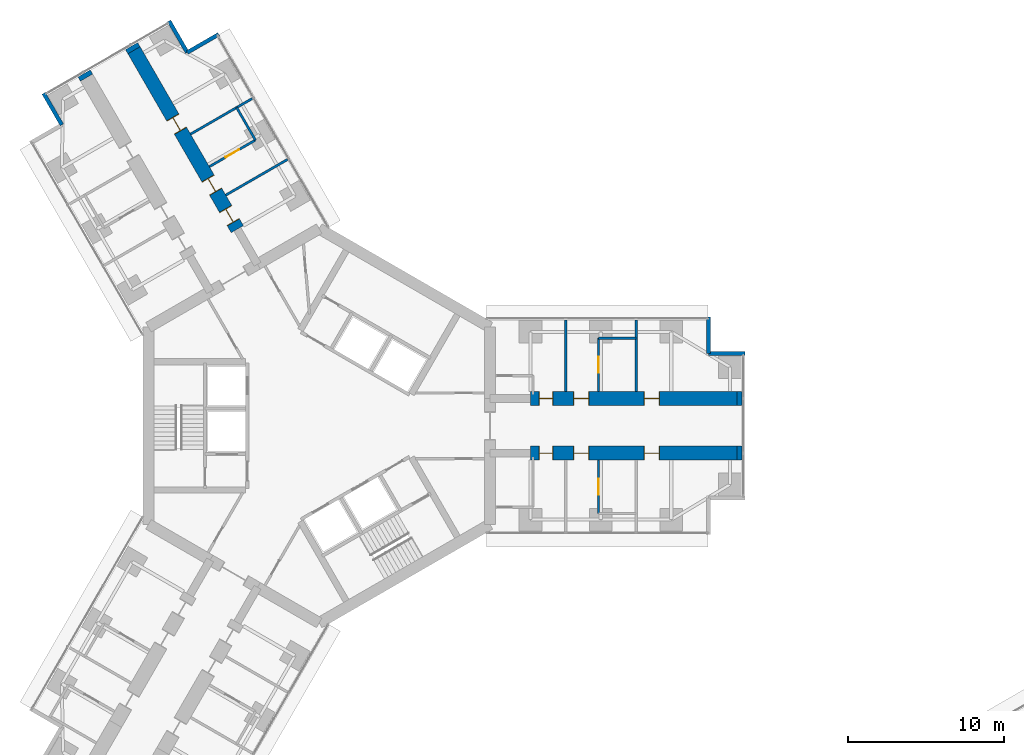
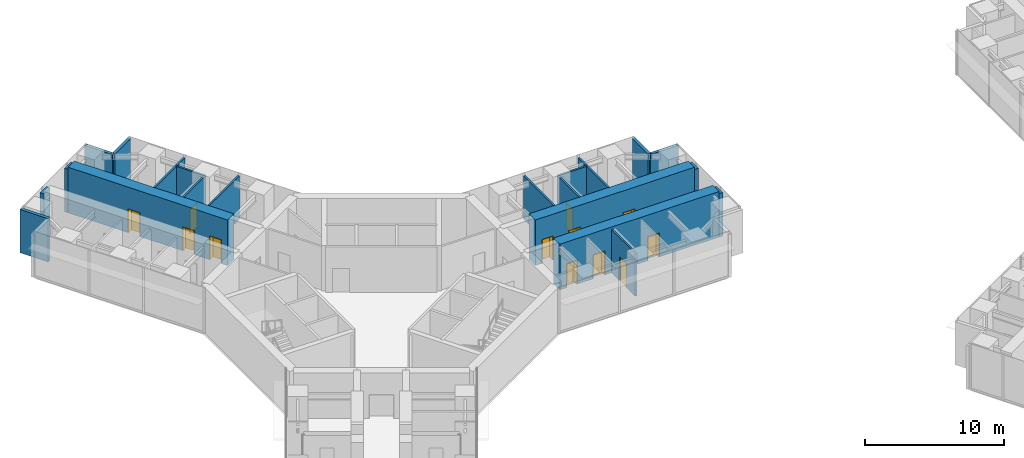
# One storey, part 19 of 24: 21 walls, 12 doors, 12 openings.
"""IFC4 building model written with IfcOpenShell, lengths in metres."""

from ifc_helpers import new_model, si_unit, direction, frame, frame_2d, origin, place, context, subcontext, project, spatial, rectangle, extrude, material, layer, layer_set, type_object, element, fill, save


model = new_model("IFC4")

# Units and contexts
model_context = context("Model", 3, precision=1e-05, world=origin(), true_north=direction((0.0, 1.0)))
body_context = subcontext(model_context, "Body", "Model", "MODEL_VIEW")
ifc_project = project(units=[si_unit("LENGTHUNIT", "METRE"), si_unit("AREAUNIT", "SQUARE_METRE"), si_unit("VOLUMEUNIT", "CUBIC_METRE"), si_unit("PLANEANGLEUNIT", "RADIAN"), si_unit("MASSUNIT", "GRAM", prefix="KILO")], contexts=[model_context])

# Site, building, storey
site_placement = place(None, origin())
site = spatial("IfcSite", under=ifc_project, at=site_placement, CompositionType="ELEMENT")
building_placement = place(site_placement, origin())
building = spatial("IfcBuilding", under=site, at=building_placement, Name="Upepo Twin Towers", CompositionType="ELEMENT")
storey_placement = place(building_placement, frame((0.0, 0.0, 60.5)))
storey = spatial("IfcBuildingStorey", under=building, at=storey_placement, Name="L14", CompositionType="ELEMENT", Elevation=60.5)

# Walls
ifc_material_1 = material(Name="Dense concrete blockwork", Category="masonry")
ifc_layer_1 = layer(ifc_material_1, 0.89990234375)
ifc_layer_set_1 = layer_set([ifc_layer_1], Name="Buttress closer 900, blockwork with fire-stopping to the curtain wall")
wall_type_1 = type_object("IfcWallType", Name="Buttress closer 900, blockwork with fire-stopping to the curtain wall", PredefinedType="PARTITIONING", material=ifc_layer_set_1)
for number, where, z_axis, x_axis, name in (
    (1, (26.699951171875, 1.75, 0.0), (0.0, 0.0, 1.0), (1.0, 0.0, 0.0), "T1 L14 wing A buttress closer L"),
    (2, (26.699951171875, -1.75, 0.0), (0.0, 0.0, 1.0), (1.0, 0.0, 0.0), "T1 L14 wing A buttress closer R"),
    (3, (-14.865478515625, 22.247802734375, 0.0), (0.0, 0.0, 1.0), (-0.499949632511, 0.866054481515, 0.0), "T1 L14 wing B buttress closer L"),
    (4, (-11.83447265625, 23.997802734375, 0.0), (0.0, 0.0, 1.0), (-0.499949632511, 0.866054481515, 0.0), "T1 L14 wing B buttress closer R"),
):
    element("IfcWall", number, at=place(storey_placement, frame(where, z_axis=z_axis, x_axis=x_axis)), inside=storey, type_object=wall_type_1, Name=name, PredefinedType="PARTITIONING", context=body_context, shape_type="SweptSolid", body=[
        extrude(rectangle(XDim=0.31005859375, YDim=0.89990234375, at=frame_2d((0.155029296875, 0.0))), origin(), (0.0, 0.0, 1.0), 3.800048828125),
    ])

# Wall, openings, doors
ifc_material_2 = material(Name="Concrete C60/75", Category="concrete")
ifc_layer_2 = layer(ifc_material_2, 0.89990234375)
ifc_layer_set_2 = layer_set([ifc_layer_2], Name="Concrete C60/75")
wall_type_2 = type_object("IfcWallType", Name="Buttress wall 900 RC", PredefinedType="SHEAR", material=ifc_layer_set_2)
wall_1_placement = place(storey_placement, frame((13.5, 1.75, 0.0), z_axis=(0.0, 0.0, 1.0), x_axis=(1.0, 0.0, 0.0)))
wall_1 = element("IfcWall", 5, at=wall_1_placement, inside=storey, type_object=wall_type_2, Name="T1 wing A buttress wall L part 2", PredefinedType="SHEAR", context=body_context, shape_type="SweptSolid", body=[
    extrude(rectangle(XDim=13.199951171875, YDim=0.89990234375, at=frame_2d((6.60009765625, 0.0))), origin(), (0.0, 0.0, 1.0), 4.0),
])
opening_1_placement = place(wall_1_placement, frame((0.550048828125, 0.0, 0.0)))
opening_1 = element("IfcOpeningElement", 6, at=opening_1_placement, cuts=wall_1, Name="Opening D11", PredefinedType="OPENING", context=body_context, shape_type="SweptSolid", body=[
    extrude(rectangle(XDim=0.89990234375, YDim=2.10009765625, at=frame_2d((0.449951171875, 1.050048828125))), frame((0.0, 0.4599609375, 0.0), z_axis=(0.0, -1.0, 0.0), x_axis=(1.0, 0.0, 0.0)), (0.0, 0.0, 1.0), 0.919921875),
])
opening_2_placement = place(wall_1_placement, frame((2.75, 0.0, 0.0)))
opening_2 = element("IfcOpeningElement", 7, at=opening_2_placement, cuts=wall_1, Name="Opening D1", PredefinedType="OPENING", context=body_context, shape_type="SweptSolid", body=[
    extrude(rectangle(XDim=1.0, YDim=2.10009765625, at=frame_2d((0.5, 1.050048828125))), frame((0.0, 0.4599609375, 0.0), z_axis=(0.0, -1.0, 0.0), x_axis=(1.0, 0.0, 0.0)), (0.0, 0.0, 1.0), 0.919921875),
])
opening_3_placement = place(wall_1_placement, frame((7.25, 0.0, 0.0)))
opening_3 = element("IfcOpeningElement", 8, at=opening_3_placement, cuts=wall_1, Name="Opening D1", PredefinedType="OPENING", context=body_context, shape_type="SweptSolid", body=[
    extrude(rectangle(XDim=1.0, YDim=2.10009765625, at=frame_2d((0.5, 1.050048828125))), frame((0.0, 0.4599609375, 0.0), z_axis=(0.0, -1.0, 0.0), x_axis=(1.0, 0.0, 0.0)), (0.0, 0.0, 1.0), 0.919921875),
])
ifc_material_3 = material(Name="Timber doorset", Category="wood")
door_type_1 = type_object("IfcDoorType", Name="Room door 1000 FD30", OperationType="SINGLE_SWING_LEFT", PredefinedType="DOOR", material=ifc_material_3)
door_1_placement = place(opening_2_placement, origin())
door_1 = element("IfcDoor", 9, at=door_1_placement, inside=storey, type_object=door_type_1, Name="T1 L14 seminar room door", OperationType="SINGLE_SWING_LEFT", OverallHeight=2.10009765625, OverallWidth=1.0, PredefinedType="DOOR", context=body_context, shape_type="SweptSolid", body=[
    extrude(rectangle(XDim=0.92, YDim=2.06009765625, at=frame_2d((0.5, 1.030029296875))), frame((0.0, 0.02490234375, 0.0), z_axis=(0.0, -1.0, 0.0), x_axis=(1.0, 0.0, 0.0)), (0.0, 0.0, 1.0), 0.050048828125),
    extrude(rectangle(XDim=0.04, YDim=2.10009765625, at=frame_2d((0.02001953125, 1.050048828125))), frame((0.0, 0.44970703125, 0.0), z_axis=(0.0, -1.0, 0.0), x_axis=(1.0, 0.0, 0.0)), (0.0, 0.0, 1.0), 0.8994140625),
    extrude(rectangle(XDim=0.04, YDim=2.10009765625, at=frame_2d((0.97998046875, 1.050048828125))), frame((0.0, 0.44970703125, 0.0), z_axis=(0.0, -1.0, 0.0), x_axis=(1.0, 0.0, 0.0)), (0.0, 0.0, 1.0), 0.8994140625),
    extrude(rectangle(XDim=0.92, YDim=0.04, at=frame_2d((0.5, 2.080078125))), frame((0.0, 0.44970703125, 0.0), z_axis=(0.0, -1.0, 0.0), x_axis=(1.0, 0.0, 0.0)), (0.0, 0.0, 1.0), 0.8994140625),
])
fill(opening_2, door_1)
door_2_placement = place(opening_3_placement, origin())
door_2 = element("IfcDoor", 10, at=door_2_placement, inside=storey, type_object=door_type_1, Name="T1 L14 staff office door", OperationType="SINGLE_SWING_RIGHT", OverallHeight=2.10009765625, OverallWidth=1.0, PredefinedType="DOOR", context=body_context, shape_type="SweptSolid", body=[
    extrude(rectangle(XDim=0.92, YDim=2.06009765625, at=frame_2d((0.5, 1.030029296875))), frame((0.0, 0.02490234375, 0.0), z_axis=(0.0, -1.0, 0.0), x_axis=(1.0, 0.0, 0.0)), (0.0, 0.0, 1.0), 0.050048828125),
    extrude(rectangle(XDim=0.04, YDim=2.10009765625, at=frame_2d((0.02001953125, 1.050048828125))), frame((0.0, 0.44970703125, 0.0), z_axis=(0.0, -1.0, 0.0), x_axis=(1.0, 0.0, 0.0)), (0.0, 0.0, 1.0), 0.8994140625),
    extrude(rectangle(XDim=0.04, YDim=2.10009765625, at=frame_2d((0.97998046875, 1.050048828125))), frame((0.0, 0.44970703125, 0.0), z_axis=(0.0, -1.0, 0.0), x_axis=(1.0, 0.0, 0.0)), (0.0, 0.0, 1.0), 0.8994140625),
    extrude(rectangle(XDim=0.92, YDim=0.04, at=frame_2d((0.5, 2.080078125))), frame((0.0, 0.44970703125, 0.0), z_axis=(0.0, -1.0, 0.0), x_axis=(1.0, 0.0, 0.0)), (0.0, 0.0, 1.0), 0.8994140625),
])
fill(opening_3, door_2)
ifc_material_4 = material(Name="Timber doorset", Category="wood")
door_type_2 = type_object("IfcDoorType", Name="Toilet door 900", OperationType="SINGLE_SWING_LEFT", PredefinedType="DOOR", material=ifc_material_4)
door_3_placement = place(opening_1_placement, origin())
door_3 = element("IfcDoor", 11, at=door_3_placement, inside=storey, type_object=door_type_2, Name="T1 L14 toilets door", OperationType="SINGLE_SWING_LEFT", OverallHeight=2.10009765625, OverallWidth=0.89990234375, PredefinedType="DOOR", context=body_context, shape_type="SweptSolid", body=[
    extrude(rectangle(XDim=0.81990234375, YDim=2.06009765625, at=frame_2d((0.449951171875, 1.030029296875))), frame((0.0, 0.02490234375, 0.0), z_axis=(0.0, -1.0, 0.0), x_axis=(1.0, 0.0, 0.0)), (0.0, 0.0, 1.0), 0.050048828125),
    extrude(rectangle(XDim=0.04, YDim=2.10009765625, at=frame_2d((0.02001953125, 1.050048828125))), frame((0.0, 0.44970703125, 0.0), z_axis=(0.0, -1.0, 0.0), x_axis=(1.0, 0.0, 0.0)), (0.0, 0.0, 1.0), 0.8994140625),
    extrude(rectangle(XDim=0.04, YDim=2.10009765625, at=frame_2d((0.8798828125, 1.050048828125))), frame((0.0, 0.44970703125, 0.0), z_axis=(0.0, -1.0, 0.0), x_axis=(1.0, 0.0, 0.0)), (0.0, 0.0, 1.0), 0.8994140625),
    extrude(rectangle(XDim=0.81990234375, YDim=0.04, at=frame_2d((0.449951171875, 2.080078125))), frame((0.0, 0.44970703125, 0.0), z_axis=(0.0, -1.0, 0.0), x_axis=(1.0, 0.0, 0.0)), (0.0, 0.0, 1.0), 0.8994140625),
])
fill(opening_1, door_3)

wall_2_placement = place(storey_placement, frame((13.5, -1.75, 0.0), z_axis=(0.0, 0.0, 1.0), x_axis=(1.0, 0.0, 0.0)))
wall_2 = element("IfcWall", 12, at=wall_2_placement, inside=storey, type_object=wall_type_2, Name="T1 wing A buttress wall R part 2", PredefinedType="SHEAR", context=body_context, shape_type="SweptSolid", body=[
    extrude(rectangle(XDim=13.199951171875, YDim=0.89990234375, at=frame_2d((6.60009765625, 0.0))), origin(), (0.0, 0.0, 1.0), 4.0),
])
opening_4_placement = place(wall_2_placement, frame((0.550048828125, 0.0, 0.0)))
opening_4 = element("IfcOpeningElement", 13, at=opening_4_placement, cuts=wall_2, Name="Opening D11", PredefinedType="OPENING", context=body_context, shape_type="SweptSolid", body=[
    extrude(rectangle(XDim=0.89990234375, YDim=2.10009765625, at=frame_2d((0.449951171875, 1.050048828125))), frame((0.0, 0.4599609375, 0.0), z_axis=(0.0, -1.0, 0.0), x_axis=(1.0, 0.0, 0.0)), (0.0, 0.0, 1.0), 0.919921875),
])
opening_5_placement = place(wall_2_placement, frame((2.75, 0.0, 0.0)))
opening_5 = element("IfcOpeningElement", 14, at=opening_5_placement, cuts=wall_2, Name="Opening D1", PredefinedType="OPENING", context=body_context, shape_type="SweptSolid", body=[
    extrude(rectangle(XDim=1.0, YDim=2.10009765625, at=frame_2d((0.5, 1.050048828125))), frame((0.0, 0.4599609375, 0.0), z_axis=(0.0, -1.0, 0.0), x_axis=(1.0, 0.0, 0.0)), (0.0, 0.0, 1.0), 0.919921875),
])
opening_6_placement = place(wall_2_placement, frame((7.25, 0.0, 0.0)))
opening_6 = element("IfcOpeningElement", 15, at=opening_6_placement, cuts=wall_2, Name="Opening D1", PredefinedType="OPENING", context=body_context, shape_type="SweptSolid", body=[
    extrude(rectangle(XDim=1.0, YDim=2.10009765625, at=frame_2d((0.5, 1.050048828125))), frame((0.0, 0.4599609375, 0.0), z_axis=(0.0, -1.0, 0.0), x_axis=(1.0, 0.0, 0.0)), (0.0, 0.0, 1.0), 0.919921875),
])
door_4_placement = place(opening_5_placement, origin())
door_4 = element("IfcDoor", 16, at=door_4_placement, inside=storey, type_object=door_type_1, Name="T1 L14 tutorial room door", OperationType="SINGLE_SWING_LEFT", OverallHeight=2.10009765625, OverallWidth=1.0, PredefinedType="DOOR", context=body_context, shape_type="SweptSolid", body=[
    extrude(rectangle(XDim=0.92, YDim=2.06009765625, at=frame_2d((0.5, 1.030029296875))), frame((0.0, 0.02490234375, 0.0), z_axis=(0.0, -1.0, 0.0), x_axis=(1.0, 0.0, 0.0)), (0.0, 0.0, 1.0), 0.050048828125),
    extrude(rectangle(XDim=0.04, YDim=2.10009765625, at=frame_2d((0.02001953125, 1.050048828125))), frame((0.0, 0.44970703125, 0.0), z_axis=(0.0, -1.0, 0.0), x_axis=(1.0, 0.0, 0.0)), (0.0, 0.0, 1.0), 0.8994140625),
    extrude(rectangle(XDim=0.04, YDim=2.10009765625, at=frame_2d((0.97998046875, 1.050048828125))), frame((0.0, 0.44970703125, 0.0), z_axis=(0.0, -1.0, 0.0), x_axis=(1.0, 0.0, 0.0)), (0.0, 0.0, 1.0), 0.8994140625),
    extrude(rectangle(XDim=0.92, YDim=0.04, at=frame_2d((0.5, 2.080078125))), frame((0.0, 0.44970703125, 0.0), z_axis=(0.0, -1.0, 0.0), x_axis=(1.0, 0.0, 0.0)), (0.0, 0.0, 1.0), 0.8994140625),
])
fill(opening_5, door_4)
door_5_placement = place(opening_6_placement, origin())
door_5 = element("IfcDoor", 17, at=door_5_placement, inside=storey, type_object=door_type_1, Name="T1 L14 computing laboratory door", OperationType="SINGLE_SWING_RIGHT", OverallHeight=2.10009765625, OverallWidth=1.0, PredefinedType="DOOR", context=body_context, shape_type="SweptSolid", body=[
    extrude(rectangle(XDim=0.92, YDim=2.06009765625, at=frame_2d((0.5, 1.030029296875))), frame((0.0, 0.02490234375, 0.0), z_axis=(0.0, -1.0, 0.0), x_axis=(1.0, 0.0, 0.0)), (0.0, 0.0, 1.0), 0.050048828125),
    extrude(rectangle(XDim=0.04, YDim=2.10009765625, at=frame_2d((0.02001953125, 1.050048828125))), frame((0.0, 0.44970703125, 0.0), z_axis=(0.0, -1.0, 0.0), x_axis=(1.0, 0.0, 0.0)), (0.0, 0.0, 1.0), 0.8994140625),
    extrude(rectangle(XDim=0.04, YDim=2.10009765625, at=frame_2d((0.97998046875, 1.050048828125))), frame((0.0, 0.44970703125, 0.0), z_axis=(0.0, -1.0, 0.0), x_axis=(1.0, 0.0, 0.0)), (0.0, 0.0, 1.0), 0.8994140625),
    extrude(rectangle(XDim=0.92, YDim=0.04, at=frame_2d((0.5, 2.080078125))), frame((0.0, 0.44970703125, 0.0), z_axis=(0.0, -1.0, 0.0), x_axis=(1.0, 0.0, 0.0)), (0.0, 0.0, 1.0), 0.8994140625),
])
fill(opening_6, door_5)
door_6_placement = place(opening_4_placement, origin())
door_6 = element("IfcDoor", 18, at=door_6_placement, inside=storey, type_object=door_type_2, Name="T1 L14 accessible wc door", OperationType="SINGLE_SWING_LEFT", OverallHeight=2.10009765625, OverallWidth=0.89990234375, PredefinedType="DOOR", context=body_context, shape_type="SweptSolid", body=[
    extrude(rectangle(XDim=0.81990234375, YDim=2.06009765625, at=frame_2d((0.449951171875, 1.030029296875))), frame((0.0, 0.02490234375, 0.0), z_axis=(0.0, -1.0, 0.0), x_axis=(1.0, 0.0, 0.0)), (0.0, 0.0, 1.0), 0.050048828125),
    extrude(rectangle(XDim=0.04, YDim=2.10009765625, at=frame_2d((0.02001953125, 1.050048828125))), frame((0.0, 0.44970703125, 0.0), z_axis=(0.0, -1.0, 0.0), x_axis=(1.0, 0.0, 0.0)), (0.0, 0.0, 1.0), 0.8994140625),
    extrude(rectangle(XDim=0.04, YDim=2.10009765625, at=frame_2d((0.8798828125, 1.050048828125))), frame((0.0, 0.44970703125, 0.0), z_axis=(0.0, -1.0, 0.0), x_axis=(1.0, 0.0, 0.0)), (0.0, 0.0, 1.0), 0.8994140625),
    extrude(rectangle(XDim=0.81990234375, YDim=0.04, at=frame_2d((0.449951171875, 2.080078125))), frame((0.0, 0.44970703125, 0.0), z_axis=(0.0, -1.0, 0.0), x_axis=(1.0, 0.0, 0.0)), (0.0, 0.0, 1.0), 0.8994140625),
])
fill(opening_4, door_6)

wall_3_placement = place(storey_placement, frame((-5.234375, 12.56640625, 0.0), z_axis=(0.0, 0.0, 1.0), x_axis=(-0.500010103361, 0.866019570528, 0.0)))
wall_3 = element("IfcWall", 19, at=wall_3_placement, inside=storey, type_object=wall_type_2, Name="T1 wing B buttress wall R part 2", PredefinedType="SHEAR", context=body_context, shape_type="SweptSolid", body=[
    extrude(rectangle(XDim=13.199951171875, YDim=0.89990234375, at=frame_2d((6.60009765625, 0.0))), origin(), (0.0, 0.0, 1.0), 4.0),
])
opening_7_placement = place(wall_3_placement, frame((0.5, 0.0, 0.0)))
opening_7 = element("IfcOpeningElement", 20, at=opening_7_placement, cuts=wall_3, Name="Opening D1", PredefinedType="OPENING", context=body_context, shape_type="SweptSolid", body=[
    extrude(rectangle(XDim=1.0, YDim=2.10009765625, at=frame_2d((0.5, 1.050048828125))), frame((0.0, 0.4599609375, 0.0), z_axis=(0.0, -1.0, 0.0), x_axis=(1.0, 0.0, 0.0)), (0.0, 0.0, 1.0), 0.919921875),
])
opening_8_placement = place(wall_3_placement, frame((2.75, 0.0, 0.0)))
opening_8 = element("IfcOpeningElement", 21, at=opening_8_placement, cuts=wall_3, Name="Opening D1", PredefinedType="OPENING", context=body_context, shape_type="SweptSolid", body=[
    extrude(rectangle(XDim=1.0, YDim=2.10009765625, at=frame_2d((0.5, 1.050048828125))), frame((0.0, 0.4599609375, 0.0), z_axis=(0.0, -1.0, 0.0), x_axis=(1.0, 0.0, 0.0)), (0.0, 0.0, 1.0), 0.919921875),
])
opening_9_placement = place(wall_3_placement, frame((7.25, 0.0, 0.0)))
opening_9 = element("IfcOpeningElement", 22, at=opening_9_placement, cuts=wall_3, Name="Opening D1", PredefinedType="OPENING", context=body_context, shape_type="SweptSolid", body=[
    extrude(rectangle(XDim=1.0, YDim=2.10009765625, at=frame_2d((0.5, 1.050048828125))), frame((0.0, 0.4599609375, 0.0), z_axis=(0.0, -1.0, 0.0), x_axis=(1.0, 0.0, 0.0)), (0.0, 0.0, 1.0), 0.919921875),
])
door_7_placement = place(opening_7_placement, origin())
door_7 = element("IfcDoor", 23, at=door_7_placement, inside=storey, type_object=door_type_1, Name="T1 L14 computing laboratory door", OperationType="SINGLE_SWING_LEFT", OverallHeight=2.10009765625, OverallWidth=1.0, PredefinedType="DOOR", context=body_context, shape_type="SweptSolid", body=[
    extrude(rectangle(XDim=0.92, YDim=2.06009765625, at=frame_2d((0.5, 1.030029296875))), frame((0.0, 0.02490234375, 0.0), z_axis=(0.0, -1.0, 0.0), x_axis=(1.0, 0.0, 0.0)), (0.0, 0.0, 1.0), 0.050048828125),
    extrude(rectangle(XDim=0.04, YDim=2.10009765625, at=frame_2d((0.02001953125, 1.050048828125))), frame((0.0, 0.44970703125, 0.0), z_axis=(0.0, -1.0, 0.0), x_axis=(1.0, 0.0, 0.0)), (0.0, 0.0, 1.0), 0.8994140625),
    extrude(rectangle(XDim=0.04, YDim=2.10009765625, at=frame_2d((0.97998046875, 1.050048828125))), frame((0.0, 0.44970703125, 0.0), z_axis=(0.0, -1.0, 0.0), x_axis=(1.0, 0.0, 0.0)), (0.0, 0.0, 1.0), 0.8994140625),
    extrude(rectangle(XDim=0.92, YDim=0.04, at=frame_2d((0.5, 2.080078125))), frame((0.0, 0.44970703125, 0.0), z_axis=(0.0, -1.0, 0.0), x_axis=(1.0, 0.0, 0.0)), (0.0, 0.0, 1.0), 0.8994140625),
])
fill(opening_7, door_7)
door_8_placement = place(opening_8_placement, origin())
door_8 = element("IfcDoor", 24, at=door_8_placement, inside=storey, type_object=door_type_1, Name="T1 L14 seminar room door", OperationType="SINGLE_SWING_LEFT", OverallHeight=2.10009765625, OverallWidth=1.0, PredefinedType="DOOR", context=body_context, shape_type="SweptSolid", body=[
    extrude(rectangle(XDim=0.92, YDim=2.06009765625, at=frame_2d((0.5, 1.030029296875))), frame((0.0, 0.02490234375, 0.0), z_axis=(0.0, -1.0, 0.0), x_axis=(1.0, 0.0, 0.0)), (0.0, 0.0, 1.0), 0.050048828125),
    extrude(rectangle(XDim=0.04, YDim=2.10009765625, at=frame_2d((0.02001953125, 1.050048828125))), frame((0.0, 0.44970703125, 0.0), z_axis=(0.0, -1.0, 0.0), x_axis=(1.0, 0.0, 0.0)), (0.0, 0.0, 1.0), 0.8994140625),
    extrude(rectangle(XDim=0.04, YDim=2.10009765625, at=frame_2d((0.97998046875, 1.050048828125))), frame((0.0, 0.44970703125, 0.0), z_axis=(0.0, -1.0, 0.0), x_axis=(1.0, 0.0, 0.0)), (0.0, 0.0, 1.0), 0.8994140625),
    extrude(rectangle(XDim=0.92, YDim=0.04, at=frame_2d((0.5, 2.080078125))), frame((0.0, 0.44970703125, 0.0), z_axis=(0.0, -1.0, 0.0), x_axis=(1.0, 0.0, 0.0)), (0.0, 0.0, 1.0), 0.8994140625),
])
fill(opening_8, door_8)
door_9_placement = place(opening_9_placement, origin())
door_9 = element("IfcDoor", 25, at=door_9_placement, inside=storey, type_object=door_type_1, Name="T1 L14 staff office door", OperationType="SINGLE_SWING_RIGHT", OverallHeight=2.10009765625, OverallWidth=1.0, PredefinedType="DOOR", context=body_context, shape_type="SweptSolid", body=[
    extrude(rectangle(XDim=0.92, YDim=2.06009765625, at=frame_2d((0.5, 1.030029296875))), frame((0.0, 0.02490234375, 0.0), z_axis=(0.0, -1.0, 0.0), x_axis=(1.0, 0.0, 0.0)), (0.0, 0.0, 1.0), 0.050048828125),
    extrude(rectangle(XDim=0.04, YDim=2.10009765625, at=frame_2d((0.02001953125, 1.050048828125))), frame((0.0, 0.44970703125, 0.0), z_axis=(0.0, -1.0, 0.0), x_axis=(1.0, 0.0, 0.0)), (0.0, 0.0, 1.0), 0.8994140625),
    extrude(rectangle(XDim=0.04, YDim=2.10009765625, at=frame_2d((0.97998046875, 1.050048828125))), frame((0.0, 0.44970703125, 0.0), z_axis=(0.0, -1.0, 0.0), x_axis=(1.0, 0.0, 0.0)), (0.0, 0.0, 1.0), 0.8994140625),
    extrude(rectangle(XDim=0.92, YDim=0.04, at=frame_2d((0.5, 2.080078125))), frame((0.0, 0.44970703125, 0.0), z_axis=(0.0, -1.0, 0.0), x_axis=(1.0, 0.0, 0.0)), (0.0, 0.0, 1.0), 0.8994140625),
])
fill(opening_9, door_9)

# Walls
ifc_material_5 = material(Name="Blockwork with anodised aluminium cladding", Category="masonry")
ifc_layer_3 = layer(ifc_material_5, 0.25)
ifc_layer_set_3 = layer_set([ifc_layer_3], Name="Notch cladding wall 250, pale metal")
wall_type_3 = type_object("IfcWallType", Name="Notch cladding wall 250, pale metal", PredefinedType="STANDARD", material=ifc_layer_set_3)
for number, where, z_axis, x_axis, name in (
    (26, (24.875, 6.949951171875, 0.0), (0.0, 0.0, 1.0), (0.0, -1.0, 0.0), "T1 L14 wing A notch wall L1"),
    (27, (24.875, 4.625, 0.0), (0.0, 0.0, 1.0), (1.0, 0.0, 0.0), "T1 L14 wing A notch wall L2"),
    (28, (-16.44287109375, 19.22998046875, 0.0), (0.0, 0.0, 1.0), (-0.500046648681, 0.865998469481, 0.0), "T1 L14 wing B notch wall L2"),
    (29, (-6.418701171875, 25.017333984375, 0.0), (0.0, 0.0, 1.0), (-0.866043940782, -0.499967891604, 0.0), "T1 L14 wing B notch wall R1"),
    (30, (-8.43212890625, 23.85498046875, 0.0), (0.0, 0.0, 1.0), (-0.500046648681, 0.865998469481, 0.0), "T1 L14 wing B notch wall R2"),
):
    element("IfcWall", number, at=place(storey_placement, frame(where, z_axis=z_axis, x_axis=x_axis)), inside=storey, type_object=wall_type_3, Name=name, PredefinedType="STANDARD", context=body_context, shape_type="SweptSolid", body=[
        extrude(rectangle(XDim=2.324951171875, YDim=0.25, at=frame_2d((1.16259765625, 0.0))), origin(), (0.0, 0.0, 1.0), 3.800048828125),
    ])
ifc_material_6 = material(Name="Gypsum board on steel studs", Category="steel")
ifc_layer_4 = layer(ifc_material_6, 0.14990234375)
ifc_layer_set_4 = layer_set([ifc_layer_4], Name="Teaching partition 150 acoustic")
wall_type_4 = type_object("IfcWallType", Name="Teaching partition 150 acoustic", PredefinedType="PARTITIONING", material=ifc_layer_set_4)
for number, where, z_axis, x_axis, name in (
    (31, (15.75, 2.199951171875, 0.0), (0.0, 0.0, 1.0), (0.0, 1.0, 0.0), "T1 partition AL at 15.75"),
    (32, (20.25, 2.199951171875, 0.0), (0.0, 0.0, 1.0), (0.0, 1.0, 0.0), "T1 partition AL at 20.25"),
):
    element("IfcWall", number, at=place(storey_placement, frame(where, z_axis=z_axis, x_axis=x_axis)), inside=storey, type_object=wall_type_4, Name=name, PredefinedType="PARTITIONING", context=body_context, shape_type="SweptSolid", body=[
        extrude(rectangle(XDim=4.550048828125, YDim=0.14990234375, at=frame_2d((2.27490234375, 0.0))), origin(), (0.0, 0.0, 1.0), 3.800048828125),
    ])
wall_4_placement = place(storey_placement, frame((17.85009765625, 5.60009765625, 0.0), z_axis=(0.0, 0.0, 1.0), x_axis=(1.0, 0.0, 0.0)))
element("IfcWall", 33, at=wall_4_placement, inside=storey, type_object=wall_type_4, Name="T1 inner room partition AL at 17.85", PredefinedType="PARTITIONING", context=body_context, shape_type="SweptSolid", body=[
    extrude(rectangle(XDim=2.39990234375, YDim=0.14990234375, at=frame_2d((1.199951171875, 0.0))), origin(), (0.0, 0.0, 1.0), 3.800048828125),
])

# Wall, opening, door
wall_5_placement = place(storey_placement, frame((17.85009765625, 2.199951171875, 0.0), z_axis=(0.0, 0.0, 1.0), x_axis=(0.0, 1.0, 0.0)))
wall_5 = element("IfcWall", 34, at=wall_5_placement, inside=storey, type_object=wall_type_4, Name="T1 inner room partition AL end at 17.85", PredefinedType="PARTITIONING", context=body_context, shape_type="SweptSolid", body=[
    extrude(rectangle(XDim=3.400146484375, YDim=0.14990234375, at=frame_2d((1.7001953125, 0.0))), origin(), (0.0, 0.0, 1.0), 3.800048828125),
])
opening_10_placement = place(wall_5_placement, frame((1.199951171875, 0.0, 0.0)))
opening_10 = element("IfcOpeningElement", 35, at=opening_10_placement, cuts=wall_5, Name="Opening D1", PredefinedType="OPENING", context=body_context, shape_type="SweptSolid", body=[
    extrude(rectangle(XDim=1.0, YDim=2.10009765625, at=frame_2d((0.5, 1.050048828125))), frame((0.0, 0.0849609375, 0.0), z_axis=(0.0, -1.0, 0.0), x_axis=(1.0, 0.0, 0.0)), (0.0, 0.0, 1.0), 0.169921875),
])
door_10_placement = place(opening_10_placement, origin())
door_10 = element("IfcDoor", 36, at=door_10_placement, inside=storey, type_object=door_type_1, Name="T1 L14 inner room door", OperationType="SINGLE_SWING_LEFT", OverallHeight=2.10009765625, OverallWidth=1.0, PredefinedType="DOOR", context=body_context, shape_type="SweptSolid", body=[
    extrude(rectangle(XDim=1.0, YDim=2.10009765625, at=frame_2d((0.5, 1.050048828125))), frame((0.0, 0.02490234375, 0.0), z_axis=(0.0, -1.0, 0.0), x_axis=(1.0, 0.0, 0.0)), (0.0, 0.0, 1.0), 0.050048828125),
])
fill(opening_10, door_10)

wall_6_placement = place(storey_placement, frame((17.85009765625, -2.199951171875, 0.0), z_axis=(0.0, 0.0, 1.0), x_axis=(0.0, -1.0, 0.0)))
wall_6 = element("IfcWall", 37, at=wall_6_placement, inside=storey, type_object=wall_type_4, Name="T1 inner room partition AR end at 17.85", PredefinedType="PARTITIONING", context=body_context, shape_type="SweptSolid", body=[
    extrude(rectangle(XDim=3.400146484375, YDim=0.14990234375, at=frame_2d((1.7001953125, 0.0))), origin(), (0.0, 0.0, 1.0), 3.800048828125),
])
opening_11_placement = place(wall_6_placement, frame((1.199951171875, 0.0, 0.0)))
opening_11 = element("IfcOpeningElement", 38, at=opening_11_placement, cuts=wall_6, Name="Opening D1", PredefinedType="OPENING", context=body_context, shape_type="SweptSolid", body=[
    extrude(rectangle(XDim=1.0, YDim=2.10009765625, at=frame_2d((0.5, 1.050048828125))), frame((0.0, 0.0849609375, 0.0), z_axis=(0.0, -1.0, 0.0), x_axis=(1.0, 0.0, 0.0)), (0.0, 0.0, 1.0), 0.169921875),
])
door_11_placement = place(opening_11_placement, origin())
door_11 = element("IfcDoor", 39, at=door_11_placement, inside=storey, type_object=door_type_1, Name="T1 L14 inner room door", OperationType="SINGLE_SWING_LEFT", OverallHeight=2.10009765625, OverallWidth=1.0, PredefinedType="DOOR", context=body_context, shape_type="SweptSolid", body=[
    extrude(rectangle(XDim=1.0, YDim=2.10009765625, at=frame_2d((0.5, 1.050048828125))), frame((0.0, 0.02490234375, 0.0), z_axis=(0.0, -1.0, 0.0), x_axis=(1.0, 0.0, 0.0)), (0.0, 0.0, 1.0), 0.050048828125),
])
fill(opening_11, door_11)

# Walls
for number, where, z_axis, x_axis, name in (
    (40, (-5.9697265625, 14.739990234375, 0.0), (0.0, 0.0, 1.0), (0.866035472144, 0.499982560684, 0.0), "T1 partition BR at 15.75"),
    (41, (-8.2197265625, 18.636962890625, 0.0), (0.0, 0.0, 1.0), (0.866012237902, 0.500022803284, 0.0), "T1 partition BR at 20.25"),
):
    element("IfcWall", number, at=place(storey_placement, frame(where, z_axis=z_axis, x_axis=x_axis)), inside=storey, type_object=wall_type_4, Name=name, PredefinedType="PARTITIONING", context=body_context, shape_type="SweptSolid", body=[
        extrude(rectangle(XDim=4.550048828125, YDim=0.14990234375, at=frame_2d((2.27490234375, 0.0))), origin(), (0.0, 0.0, 1.0), 3.800048828125),
    ])
wall_7_placement = place(storey_placement, frame((-4.0751953125, 18.258544921875, 0.0), z_axis=(0.0, 0.0, 1.0), x_axis=(-0.500001309137, 0.866024647952, 0.0)))
element("IfcWall", 42, at=wall_7_placement, inside=storey, type_object=wall_type_4, Name="T1 inner room partition BR at 17.85", PredefinedType="PARTITIONING", context=body_context, shape_type="SweptSolid", body=[
    extrude(rectangle(XDim=2.39990234375, YDim=0.14990234375, at=frame_2d((1.199951171875, 0.0))), origin(), (0.0, 0.0, 1.0), 3.800048828125),
])

# Wall, opening, door
wall_8_placement = place(storey_placement, frame((-7.019775390625, 16.55859375, 0.0), z_axis=(0.0, 0.0, 1.0), x_axis=(0.866038511948, 0.499977295307, 0.0)))
wall_8 = element("IfcWall", 43, at=wall_8_placement, inside=storey, type_object=wall_type_4, Name="T1 inner room partition BR end at 17.85", PredefinedType="PARTITIONING", context=body_context, shape_type="SweptSolid", body=[
    extrude(rectangle(XDim=3.400146484375, YDim=0.14990234375, at=frame_2d((1.7001953125, 0.0))), origin(), (0.0, 0.0, 1.0), 3.800048828125),
])
opening_12_placement = place(wall_8_placement, frame((1.199951171875, 0.0, 0.0)))
opening_12 = element("IfcOpeningElement", 44, at=opening_12_placement, cuts=wall_8, Name="Opening D1", PredefinedType="OPENING", context=body_context, shape_type="SweptSolid", body=[
    extrude(rectangle(XDim=1.0, YDim=2.10009765625, at=frame_2d((0.5, 1.050048828125))), frame((0.0, 0.0849609375, 0.0), z_axis=(0.0, -1.0, 0.0), x_axis=(1.0, 0.0, 0.0)), (0.0, 0.0, 1.0), 0.169921875),
])
door_12_placement = place(opening_12_placement, origin())
door_12 = element("IfcDoor", 45, at=door_12_placement, inside=storey, type_object=door_type_1, Name="T1 L14 inner room door", OperationType="SINGLE_SWING_LEFT", OverallHeight=2.10009765625, OverallWidth=1.0, PredefinedType="DOOR", context=body_context, shape_type="SweptSolid", body=[
    extrude(rectangle(XDim=1.0, YDim=2.10009765625, at=frame_2d((0.5, 1.050048828125))), frame((0.0, 0.02490234375, 0.0), z_axis=(0.0, -1.0, 0.0), x_axis=(1.0, 0.0, 0.0)), (0.0, 0.0, 1.0), 0.050048828125),
])
fill(opening_12, door_12)

save(model, "model.ifc")
